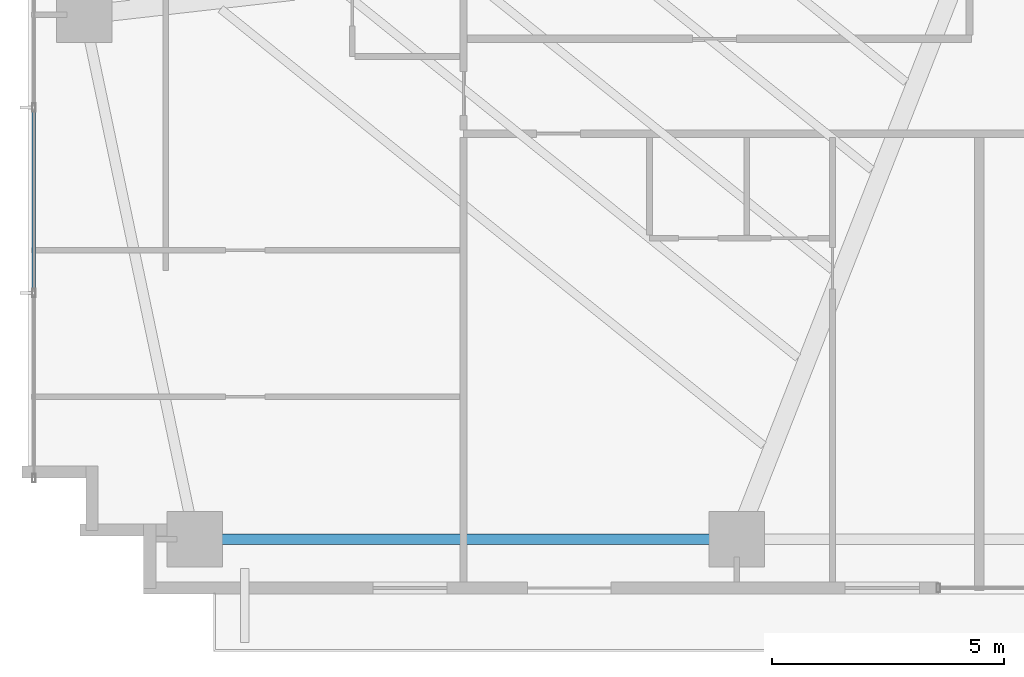
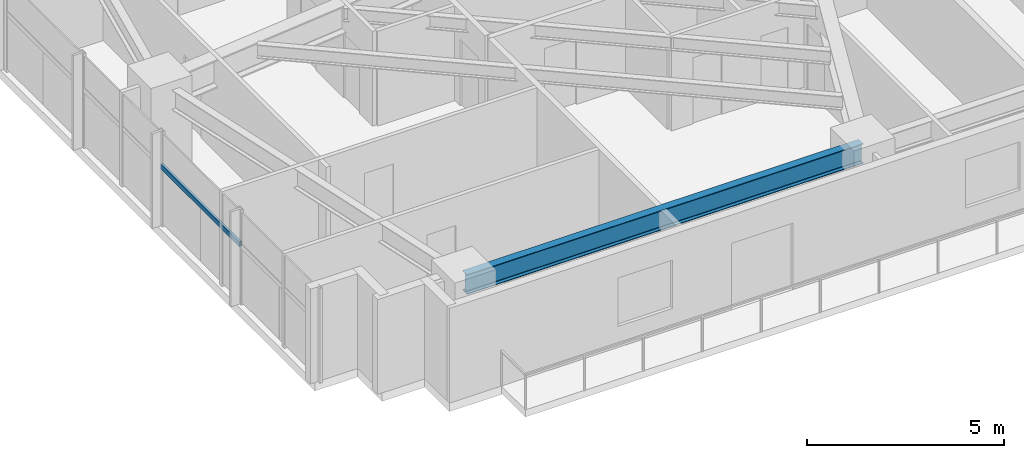
# One storey, part 3 of 25: 1 beam, 1 member, 1 element without a shape of its own.
"""IFC4 building model written with IfcOpenShell, lengths in metres."""

from ifc_helpers import new_model, si_unit, direction, frame, origin, origin_2d, place, context, subcontext, project, spatial, hollow_rectangle, i_section, extrude, source, transform, mapped, material, material_profile, profile_set, type_object, type_shapes, element, aggregate, save


model = new_model("IFC4")

# Units and contexts
model_context = context("Model", 3, precision=1e-05, world=origin(), true_north=direction((0.0, 1.0)))
body_context = subcontext(model_context, "Body", "Model", "MODEL_VIEW")
ifc_project = project(units=[si_unit("LENGTHUNIT", "METRE"), si_unit("AREAUNIT", "SQUARE_METRE"), si_unit("VOLUMEUNIT", "CUBIC_METRE"), si_unit("PLANEANGLEUNIT", "RADIAN"), si_unit("MASSUNIT", "GRAM", prefix="KILO")], contexts=[model_context])

# Site, building, storey
site_placement = place(None, origin())
site = spatial("IfcSite", under=ifc_project, at=site_placement, CompositionType="ELEMENT")
building_placement = place(site_placement, origin())
building = spatial("IfcBuilding", under=site, at=building_placement, Name="Astriad Promenade Condominiums", CompositionType="ELEMENT")
storey_placement = place(building_placement, frame((0.0, 0.0, 48.60009765625)))
storey = spatial("IfcBuildingStorey", under=building, at=storey_placement, Name="L13", CompositionType="ELEMENT", Elevation=48.60009765625)

# Beam
ifc_material_1 = material(Name="Steel ASTM A992 Grade 50", Category="steel")
ifc_material_profile_1 = material_profile(ifc_material_1, i_section(OverallWidth=0.22900390625, OverallDepth=0.612060546875, WebThickness=0.011962890625, FlangeThickness=0.01953125, FilletRadius=0.017822265625, at=origin_2d()), Name="W24X84")
ifc_profile_set_1 = profile_set([ifc_material_profile_1], Name="Steel ASTM A992 Grade 50")
beam_type = type_object("IfcBeamType", Name="STEEL SPANDREL BEAM W24X84", PredefinedType="SPANDREL", material=ifc_profile_set_1)
shared_shape_1 = source(origin(), body_context, "Body", "SweptSolid", [
    extrude(i_section(OverallWidth=0.22900390625, OverallDepth=0.612060546875, WebThickness=0.011962890625, FlangeThickness=0.01953125, FilletRadius=0.017822265625, at=origin_2d()), origin(), (0.0, 0.0, 1.0), 11.6201171875),
])
type_shapes(beam_type, [shared_shape_1])
beam_placement = place(storey_placement, frame((9.43994140625, 3.8798828125, 2.6337890625), z_axis=(1.0, 0.0, 0.0), x_axis=(0.0, 1.0, 0.0)))
element("IfcBeam", 1, at=beam_placement, inside=storey, type_object=beam_type, Name="Perimeter Spandrel Beam SP-S1-L13", PredefinedType="SPANDREL", context=body_context, shape_type="MappedRepresentation", body=[
    mapped(shared_shape_1, transform((0.0, 0.0, 0.0), scale=1.0)),
])

# Curtain wall, member
ifc_material_2 = material(Name="Anodised aluminium Black Dark Glass Unitised", Category="aluminium")
curtain_wall_type = type_object("IfcCurtainWallType", Name="CW-B1-DARK", PredefinedType="USERDEFINED", material=ifc_material_2)
curtain_wall_placement = place(storey_placement, origin())
curtain_wall = element("IfcCurtainWall", 2, at=curtain_wall_placement, inside=storey, type_object=curtain_wall_type, Name="CW-L13-W", ObjectType="UNITISED_CURTAIN_WALL", PredefinedType="USERDEFINED")
ifc_material_3 = material(Name="Anodised aluminium 6063-T6 Black", Category="aluminium")
ifc_material_profile_2 = material_profile(ifc_material_3, hollow_rectangle(XDim=0.074951171875, YDim=0.14990234375, WallThickness=0.004150390625, at=origin_2d()), Name="ALU-TRN-75X150")
ifc_profile_set_2 = profile_set([ifc_material_profile_2], Name="Anodised aluminium 6063-T6 Black")
member_type = type_object("IfcMemberType", Name="TRN-ALU-TRN-75X150", PredefinedType="USERDEFINED", material=ifc_profile_set_2)
shared_shape_2 = source(origin(), body_context, "Body", "SweptSolid", [
    extrude(hollow_rectangle(XDim=0.074951171875, YDim=0.14990234375, WallThickness=0.004150390625, at=origin_2d()), origin(), (0.0, 0.0, 1.0), 4.0),
])
type_shapes(member_type, [shared_shape_2])
member_placement = place(storey_placement, frame((5.929931640625, 9.199951171875, 1.82275390625), z_axis=(0.0, 1.0, 0.0), x_axis=(-1.0, 0.0, 0.0)))
member = element("IfcMember", 3, at=member_placement, type_object=member_type, Name="CW-L13-W-TRN-01-0", ObjectType="TRANSOM", PredefinedType="USERDEFINED", context=body_context, shape_type="MappedRepresentation", body=[
    mapped(shared_shape_2, transform((0.0, 0.0, 0.0), scale=1.0)),
])
aggregate(curtain_wall, [member])

save(model, "model.ifc")
